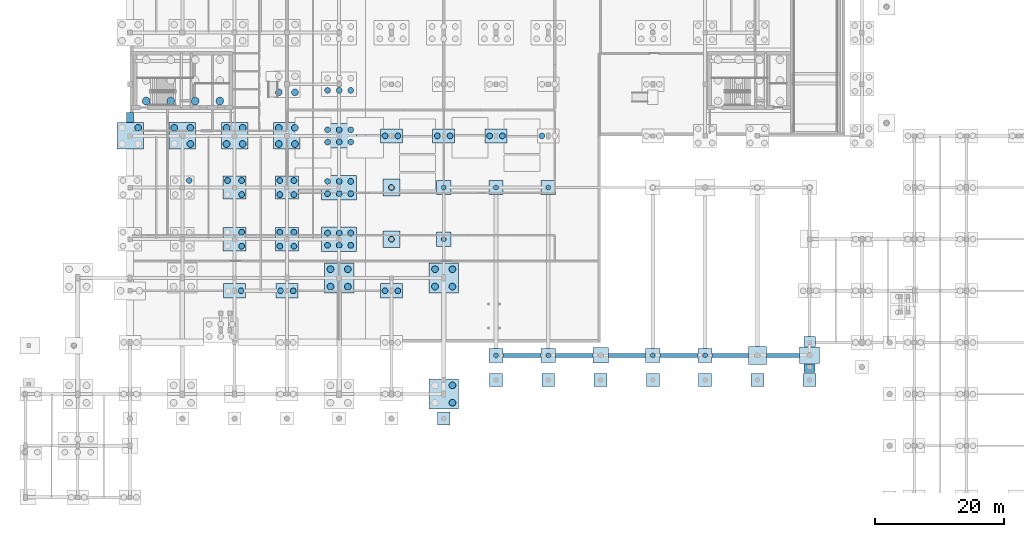
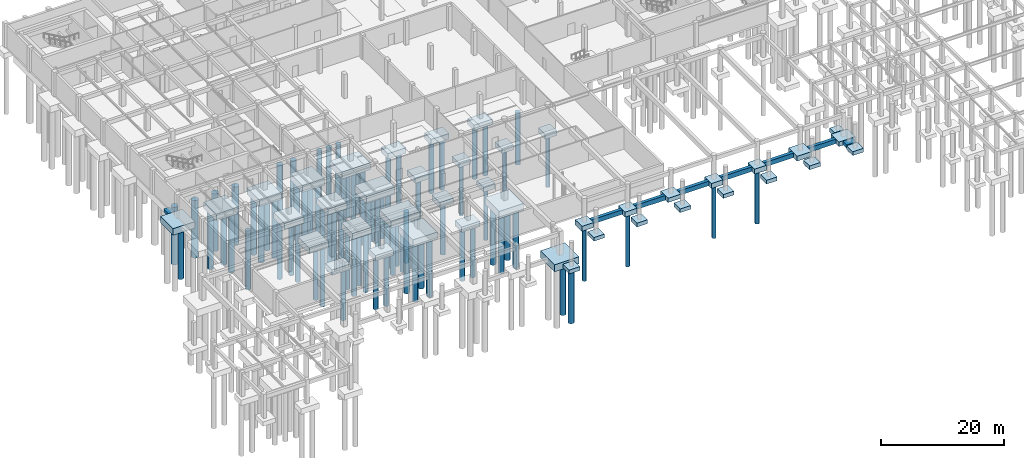
# One storey, part 2 of 25: 85 piles, 50 footings.
"""IFC4 building model written with IfcOpenShell, lengths in metres."""

import ifcopenshell
import ifcopenshell.guid

model = None  # the IFC model being written
_history = None  # IfcOwnerHistory: only IFC2X3 demands one
_inside = {}  # id of a spatial element -> (the spatial element, [elements in it])
_under = {}  # id of a project, library or spatial element -> (it, [spatial elements below it])
_declared = {}  # id of a project -> (the project, [libraries it declares])
_typed = {}  # id of a type object -> (the type object, [elements of that type])
_made_of = {}  # id of a material, layer set ... -> (it, [elements and type objects made of it])


def new_model(schema):
    """Start an empty IFC model of exactly this schema.

    Asked for "IFC4X3", IfcOpenShell would pick the latest addendum, in which some entities
    have other attributes; the version numbers below select the first issue.
    IFC2X3 requires an IfcOwnerHistory on every rooted entity: one is made here for all.
    """
    global model, _history
    if schema == "IFC4X3":
        model = ifcopenshell.file(schema_version=(4, 3, 0, 0))
    else:
        model = ifcopenshell.file(schema=schema)
    _inside.clear()
    _under.clear()
    _declared.clear()
    _typed.clear()
    _made_of.clear()
    _history = None
    if model.schema == "IFC2X3":
        org = make("IfcOrganization", Name="unknown")
        user = make(
            "IfcPersonAndOrganization",
            ThePerson=make("IfcPerson", FamilyName="unknown"),
            TheOrganization=org,
        )
        app = make(
            "IfcApplication",
            ApplicationDeveloper=org,
            Version="unknown",
            ApplicationFullName="unknown",
            ApplicationIdentifier="unknown",
        )
        _history = make(
            "IfcOwnerHistory",
            OwningUser=user,
            OwningApplication=app,
            ChangeAction="ADDED",
            CreationDate=0,
        )
    return model


def make(cls, **values):
    """One entity of the class cls with the attributes given. An attribute that is None is left unset."""
    return model.create_entity(
        cls, **{name: value for name, value in values.items() if value is not None}
    )


def rooted(cls, **values):
    """An entity with a GlobalId (a new one), such as an element, a storey or a relation."""
    return make(cls, GlobalId=ifcopenshell.guid.new(), OwnerHistory=_history, **values)


def si_unit(unit_type, name, prefix=None):
    """IfcSIUnit, for example si_unit("LENGTHUNIT", "METRE", prefix="MILLI")."""
    return make("IfcSIUnit", UnitType=unit_type, Prefix=prefix, Name=name)


def assignment(units):
    """IfcUnitAssignment: the units of a project."""
    return None if units is None else make("IfcUnitAssignment", Units=units)


def point(xyz):
    """IfcCartesianPoint."""
    return None if xyz is None else make("IfcCartesianPoint", Coordinates=xyz)


def direction(xyz):
    """IfcDirection."""
    return None if xyz is None else make("IfcDirection", DirectionRatios=xyz)


def frame(location, z_axis=None, x_axis=None):
    """IfcAxis2Placement3D, a coordinate frame: its origin and axes. An axis left out is left unset."""
    return make(
        "IfcAxis2Placement3D",
        Location=point(location),
        Axis=direction(z_axis),
        RefDirection=direction(x_axis),
    )


def frame_2d(location, x_axis=None):
    """IfcAxis2Placement2D, a coordinate frame in the plane: its origin and x axis."""
    return make(
        "IfcAxis2Placement2D", Location=point(location), RefDirection=direction(x_axis)
    )


def origin():
    """The frame at (0, 0, 0) with its axes left unset."""
    return frame((0.0, 0.0, 0.0))


def origin_2d():
    """The frame at (0, 0) in the plane with its x axis left unset."""
    return frame_2d((0.0, 0.0))


def place(relative_to, where):
    """IfcLocalPlacement: puts the frame where relative to a parent placement (None: the world)."""
    return make(
        "IfcLocalPlacement", PlacementRelTo=relative_to, RelativePlacement=where
    )


def context(
    kind, dimensions, precision=None, world=None, true_north=None, identifier=None
):
    """IfcGeometricRepresentationContext, for example the 3D "Model" context."""
    return make(
        "IfcGeometricRepresentationContext",
        ContextIdentifier=identifier,
        ContextType=kind,
        CoordinateSpaceDimension=dimensions,
        Precision=precision,
        WorldCoordinateSystem=world,
        TrueNorth=true_north,
    )


def subcontext(parent, identifier, kind, view, scale=None):
    """IfcGeometricRepresentationSubContext, for example "Body" below "Model"."""
    return make(
        "IfcGeometricRepresentationSubContext",
        ContextIdentifier=identifier,
        ContextType=kind,
        ParentContext=parent,
        TargetScale=scale,
        TargetView=view,
    )


def project(units=None, contexts=None):
    """IfcProject with its units and contexts."""
    return rooted(
        "IfcProject",
        Name="project",
        RepresentationContexts=contexts,
        UnitsInContext=assignment(units),
    )


def spatial(cls, under=None, at=None, **own):
    """A site, building, storey or space (cls), placed at a placement, below another one or the project."""
    s = rooted(cls, ObjectPlacement=at, **own)
    if under is not None:
        _under.setdefault(under.id(), (under, []))[1].append(s)
    return s


def polyline(points):
    """IfcPolyline through the points."""
    return make("IfcPolyline", Points=[point(p) for p in points])


def profile(cls, at=None, kind="AREA", **sizes):
    """A parametric profile (cls). Its sizes go by their IFC names, for example OverallWidth=200.0."""
    return make(cls, ProfileType=kind, Position=at, **sizes)


def rectangle(**sizes):
    """IfcRectangleProfileDef."""
    return profile("IfcRectangleProfileDef", **sizes)


def circle(**sizes):
    """IfcCircleProfileDef."""
    return profile("IfcCircleProfileDef", **sizes)


def outline(outer, holes=None, kind="AREA"):
    """IfcArbitraryClosedProfileDef: a profile drawn as a closed curve; with holes, ...WithVoids."""
    if holes is None:
        return make("IfcArbitraryClosedProfileDef", ProfileType=kind, OuterCurve=outer)
    return make(
        "IfcArbitraryProfileDefWithVoids",
        ProfileType=kind,
        OuterCurve=outer,
        InnerCurves=holes,
    )


def extrude(swept, where, along, depth):
    """IfcExtrudedAreaSolid: the profile swept, set in the frame where, extruded along a direction by depth."""
    return make(
        "IfcExtrudedAreaSolid",
        SweptArea=swept,
        Position=where,
        ExtrudedDirection=direction(along),
        Depth=depth,
    )


def shape(context_of_items, identifier, shape_type, items):
    """IfcShapeRepresentation: the items that make up one representation, for example the "Body"."""
    return make(
        "IfcShapeRepresentation",
        ContextOfItems=context_of_items,
        RepresentationIdentifier=identifier,
        RepresentationType=shape_type,
        Items=items,
    )


def material(Name=None, Category=None):
    """IfcMaterial."""
    return make("IfcMaterial", Name=Name, Category=Category)


def material_profile(
    of_material, cross_section, Name=None, Category=None, Priority=None
):
    """IfcMaterialProfile: a cross section and its material."""
    return make(
        "IfcMaterialProfile",
        Name=Name,
        Material=of_material,
        Profile=cross_section,
        Priority=Priority,
        Category=Category,
    )


def profile_set(profiles, Name=None, composite=None):
    """IfcMaterialProfileSet."""
    return make(
        "IfcMaterialProfileSet",
        Name=Name,
        MaterialProfiles=profiles,
        CompositeProfile=composite,
    )


def made_of(thing, what):
    """Note that an element or type object is made of a material, layer set ...; save() writes the relation."""
    if what is not None:
        _made_of.setdefault(what.id(), (what, []))[1].append(thing)
    return thing


def type_object(cls, material=None, **own):
    """A type object (cls), such as IfcWallType, which elements share."""
    return made_of(rooted(cls, **own), material)


def element(
    cls,
    number,
    at=None,
    inside=None,
    cuts=None,
    type_object=None,
    material=None,
    context=None,
    identifier="Body",
    shape_type=None,
    held_by="IfcProductDefinitionShape",
    body=None,
    shapes=None,
    **own,
):
    """One element of the class cls, such as IfcWall. Its Tag is "e" and its number.

    at: its placement. inside: the storey or other place that contains it. cuts: it is an
    opening in that element (IfcRelVoidsElement). A single representation is given by context,
    identifier, shape_type and body (its items); several are given by shapes. held_by: the class
    of the entity that holds the representations. save() writes the other relations.
    """
    e = rooted(cls, Tag="e%d" % number, ObjectPlacement=at, **own)
    if body is not None:
        shapes = [shape(context, identifier, shape_type, body)]
    if shapes is not None:
        e.Representation = make(held_by, Representations=shapes)
    if inside is not None:
        _inside.setdefault(inside.id(), (inside, []))[1].append(e)
    if cuts is not None:
        rooted(
            "IfcRelVoidsElement", RelatingBuildingElement=cuts, RelatedOpeningElement=e
        )
    if type_object is not None:
        _typed.setdefault(type_object.id(), (type_object, []))[1].append(e)
    return made_of(e, material)


def aggregate(whole, parts):
    """IfcRelAggregates: a whole, such as a stair, and the parts it consists of."""
    return rooted("IfcRelAggregates", RelatingObject=whole, RelatedObjects=parts)


def save(model, path):
    """Write the relations noted so far, then the file.

    IfcRelAggregates (storeys below a building ...), IfcRelContainedInSpatialStructure (elements
    in a storey), IfcRelDefinesByType, IfcRelAssociatesMaterial and IfcRelDeclares: one each for
    every whole, place, type object, material and project.
    """
    for whole, parts in _under.values():
        aggregate(whole, parts)
    for where, things in _inside.values():
        rooted(
            "IfcRelContainedInSpatialStructure",
            RelatedElements=things,
            RelatingStructure=where,
        )
    for kind, things in _typed.values():
        rooted("IfcRelDefinesByType", RelatedObjects=things, RelatingType=kind)
    for what, things in _made_of.values():
        rooted("IfcRelAssociatesMaterial", RelatedObjects=things, RelatingMaterial=what)
    for by, libraries in _declared.values():
        rooted("IfcRelDeclares", RelatingContext=by, RelatedDefinitions=libraries)
    model.write(path)


model = new_model("IFC4")

# Units and contexts
model_context = context("Model", 3, precision=1e-05, world=origin(), true_north=direction((0.0, 1.0)))
body_context = subcontext(model_context, "Body", "Model", "MODEL_VIEW")
ifc_project = project(units=[si_unit("LENGTHUNIT", "METRE"), si_unit("AREAUNIT", "SQUARE_METRE"), si_unit("VOLUMEUNIT", "CUBIC_METRE"), si_unit("PLANEANGLEUNIT", "RADIAN"), si_unit("MASSUNIT", "GRAM", prefix="KILO")], contexts=[model_context])

# Site, building, storey
site_placement = place(None, origin())
site = spatial("IfcSite", under=ifc_project, at=site_placement, CompositionType="ELEMENT")
building_placement = place(site_placement, origin())
building = spatial("IfcBuilding", under=site, at=building_placement, Name="Tarnveldt Square Police Headquarters", CompositionType="ELEMENT")
storey_placement = place(building_placement, frame((0.0, 0.0, -4.800048828125)))
storey = spatial("IfcBuildingStorey", under=building, at=storey_placement, Name="B1", CompositionType="ELEMENT", Elevation=-4.800048828125)

# Footings
ifc_material_1 = material(Name="Concrete 45 MPa", Category="concrete")
footing_type_1 = type_object("IfcFootingType", Name="CAP-PC1", PredefinedType="PILE_CAP", material=ifc_material_1)
for number, where, z_axis, x_axis, name in (
    (1, (64.800048828125, 40.0, -1.320068359375), (0.0, 0.0, 1.0), (1.0, 0.0, 0.0), "Caisson Pile Cap 72"),
    (2, (64.800048828125, 48.0, -1.320068359375), (0.0, 0.0, 1.0), (1.0, 0.0, 0.0), "Caisson Pile Cap 73"),
    (3, (72.89990234375, 22.0, -1.0), (0.0, 0.0, 1.0), (1.0, 0.0, 0.0), "Caisson Pile Cap 82"),
    (4, (72.89990234375, 48.0, -1.320068359375), (0.0, 0.0, 1.0), (1.0, 0.0, 0.0), "Caisson Pile Cap 83"),
    (5, (81.0, 22.0, -1.0), (0.0, 0.0, 1.0), (1.0, 0.0, 0.0), "Caisson Pile Cap 92"),
    (6, (81.0, 48.0, -1.320068359375), (0.0, 0.0, 1.0), (1.0, 0.0, 0.0), "Caisson Pile Cap 93"),
    (7, (97.199951171875, 22.0, -1.0), (0.0, 0.0, 1.0), (1.0, 0.0, 0.0), "Caisson Pile Cap 106"),
    (8, (105.300048828125, 22.0, -1.0), (0.0, 0.0, 1.0), (1.0, 0.0, 0.0), "Caisson Pile Cap 116"),
):
    element("IfcFooting", number, at=place(storey_placement, frame(where, z_axis=z_axis, x_axis=x_axis)), inside=storey, type_object=footing_type_1, Name=name, PredefinedType="PILE_CAP", context=body_context, shape_type="SweptSolid", body=[
        extrude(rectangle(XDim=2.199951171875, YDim=2.199951171875, at=origin_2d()), origin(), (0.0, 0.0, 1.0), 1.0),
    ])
footing_type_2 = type_object("IfcFootingType", Name="CAP-PC2", PredefinedType="PILE_CAP", material=ifc_material_1)
for number, where, z_axis, x_axis, name in (
    (9, (32.39990234375, 32.0, -1.419921875), (0.0, 0.0, 1.0), (1.0, 0.0, 0.0), "Caisson Pile Cap 27"),
    (10, (40.5, 32.0, -1.419921875), (0.0, 0.0, 1.0), (1.0, 0.0, 0.0), "Caisson Pile Cap 39"),
    (11, (56.699951171875, 32.0, -1.419921875), (0.0, 0.0, 1.0), (1.0, 0.0, 0.0), "Caisson Pile Cap 61"),
    (12, (56.699951171875, 56.0, -1.419921875), (0.0, 0.0, 1.0), (1.0, 0.0, 0.0), "Caisson Pile Cap 64"),
    (13, (64.800048828125, 56.0, -1.419921875), (0.0, 0.0, 1.0), (1.0, 0.0, 0.0), "Caisson Pile Cap 74"),
    (14, (72.89990234375, 56.0, -1.419921875), (0.0, 0.0, 1.0), (1.0, 0.0, 0.0), "Caisson Pile Cap 84"),
):
    element("IfcFooting", number, at=place(storey_placement, frame(where, z_axis=z_axis, x_axis=x_axis)), inside=storey, type_object=footing_type_2, Name=name, PredefinedType="PILE_CAP", context=body_context, shape_type="SweptSolid", body=[
        extrude(rectangle(XDim=3.39990234375, YDim=2.199951171875, at=origin_2d()), origin(), (0.0, 0.0, 1.0), 1.10009765625),
    ])
footing_type_3 = type_object("IfcFootingType", Name="CAP-PC3", PredefinedType="PILE_CAP", material=ifc_material_1)
for number, where, z_axis, x_axis, name in (
    (15, (32.39990234375, 40.0, -1.52001953125), (0.0, 0.0, 1.0), (1.0, 0.0, 0.0), "Caisson Pile Cap 28"),
    (16, (32.39990234375, 48.0, -1.52001953125), (0.0, 0.0, 1.0), (1.0, 0.0, 0.0), "Caisson Pile Cap 29"),
    (17, (40.5, 40.0, -1.52001953125), (0.0, 0.0, 1.0), (1.0, 0.0, 0.0), "Caisson Pile Cap 40"),
    (18, (40.5, 48.0, -1.52001953125), (0.0, 0.0, 1.0), (1.0, 0.0, 0.0), "Caisson Pile Cap 41"),
):
    element("IfcFooting", number, at=place(storey_placement, frame(where, z_axis=z_axis, x_axis=x_axis)), inside=storey, type_object=footing_type_3, Name=name, PredefinedType="PILE_CAP", context=body_context, shape_type="SweptSolid", body=[
        extrude(rectangle(XDim=3.60009765625, YDim=3.60009765625, at=origin_2d()), origin(), (0.0, 0.0, 1.0), 1.199951171875),
    ])
footing_type_4 = type_object("IfcFootingType", Name="CAP-PC4", PredefinedType="PILE_CAP", material=ifc_material_1)
for number, where, z_axis, x_axis, name in (
    (19, (16.199951171875, 56.0, -1.6201171875), (0.0, 0.0, 1.0), (1.0, 0.0, 0.0), "Caisson Pile Cap 12"),
    (20, (24.300048828125, 56.0, -1.6201171875), (0.0, 0.0, 1.0), (1.0, 0.0, 0.0), "Caisson Pile Cap 20"),
    (21, (32.39990234375, 56.0, -1.6201171875), (0.0, 0.0, 1.0), (1.0, 0.0, 0.0), "Caisson Pile Cap 30"),
    (22, (40.5, 56.0, -1.6201171875), (0.0, 0.0, 1.0), (1.0, 0.0, 0.0), "Caisson Pile Cap 42"),
):
    element("IfcFooting", number, at=place(storey_placement, frame(where, z_axis=z_axis, x_axis=x_axis)), inside=storey, type_object=footing_type_4, Name=name, PredefinedType="PILE_CAP", context=body_context, shape_type="SweptSolid", body=[
        extrude(rectangle(XDim=4.10009765625, YDim=4.10009765625, at=origin_2d()), origin(), (0.0, 0.0, 1.0), 1.300048828125),
    ])
footing_type_5 = type_object("IfcFootingType", Name="CAP-PC5", PredefinedType="PILE_CAP", material=ifc_material_1)
for number, where, z_axis, x_axis, name in (
    (23, (48.60009765625, 34.0, -1.719970703125), (0.0, 0.0, 1.0), (1.0, 0.0, 0.0), "Cantilever Truss Anchor Pile Cap 5"),
    (24, (64.800048828125, 34.0, -1.719970703125), (0.0, 0.0, 1.0), (1.0, 0.0, 0.0), "Cantilever Truss Anchor Pile Cap 7"),
    (25, (64.800048828125, 16.0, -1.39990234375), (0.0, 0.0, 1.0), (1.0, 0.0, 0.0), "Cantilever Truss Anchor Pile Cap 8"),
):
    element("IfcFooting", number, at=place(storey_placement, frame(where, z_axis=z_axis, x_axis=x_axis)), inside=storey, type_object=footing_type_5, Name=name, PredefinedType="PILE_CAP", context=body_context, shape_type="SweptSolid", body=[
        extrude(rectangle(XDim=4.60009765625, YDim=4.60009765625, at=origin_2d()), origin(), (0.0, 0.0, 1.0), 1.39990234375),
    ])
footing_type_6 = type_object("IfcFootingType", Name="CAP-PC6", PredefinedType="PILE_CAP", material=ifc_material_1)
for number, where, z_axis, x_axis, name in (
    (26, (48.60009765625, 40.0, -1.669921875), (0.0, 0.0, 1.0), (1.0, 0.0, 0.0), "Caisson Pile Cap 50"),
    (27, (48.60009765625, 48.0, -1.669921875), (0.0, 0.0, 1.0), (1.0, 0.0, 0.0), "Caisson Pile Cap 51"),
    (28, (48.60009765625, 56.0, -1.669921875), (0.0, 0.0, 1.0), (1.0, 0.0, 0.0), "Caisson Pile Cap 52"),
):
    element("IfcFooting", number, at=place(storey_placement, frame(where, z_axis=z_axis, x_axis=x_axis)), inside=storey, type_object=footing_type_6, Name=name, PredefinedType="PILE_CAP", context=body_context, shape_type="SweptSolid", body=[
        extrude(rectangle(XDim=5.39990234375, YDim=3.800048828125, at=origin_2d()), origin(), (0.0, 0.0, 1.0), 1.35009765625),
    ])
footing_type_7 = type_object("IfcFootingType", Name="CAP-PC9", PredefinedType="PILE_CAP", material=ifc_material_1)
for number, where, z_axis, x_axis, name in (
    (29, (56.699951171875, 40.0, -1.3701171875), (0.0, 0.0, 1.0), (1.0, 0.0, 0.0), "Caisson Pile Cap 62"),
    (30, (56.699951171875, 48.0, -1.3701171875), (0.0, 0.0, 1.0), (1.0, 0.0, 0.0), "Caisson Pile Cap 63"),
):
    element("IfcFooting", number, at=place(storey_placement, frame(where, z_axis=z_axis, x_axis=x_axis)), inside=storey, type_object=footing_type_7, Name=name, PredefinedType="PILE_CAP", context=body_context, shape_type="SweptSolid", body=[
        extrude(rectangle(XDim=2.60009765625, YDim=2.60009765625, at=origin_2d()), origin(), (0.0, 0.0, 1.0), 1.050048828125),
    ])
ifc_material_2 = material(Name="Concrete 40 MPa", Category="concrete")
footing_type_8 = type_object("IfcFootingType", Name="GB-2", PredefinedType="FOOTING_BEAM", material=ifc_material_2)
footing_1_placement = place(storey_placement, frame((0.0, 0.0, -0.89990234375)))
element("IfcFooting", 31, at=footing_1_placement, inside=storey, type_object=footing_type_8, Name="FTG-GB-V1S Segment 3", PredefinedType="FOOTING_BEAM", context=body_context, shape_type="SweptSolid", body=[
    extrude(outline(polyline([(74.0, 21.699951171875), (79.89990234375, 21.699951171875), (79.89990234375, 22.300048828125), (74.0, 22.300048828125), (74.0, 21.699951171875)])), origin(), (0.0, 0.0, 1.0), 0.89990234375),
])
footing_2_placement = place(storey_placement, frame((0.0, 0.0, -0.89990234375)))
element("IfcFooting", 32, at=footing_2_placement, inside=storey, type_object=footing_type_8, Name="FTG-GB-V1S Segment 4", PredefinedType="FOOTING_BEAM", context=body_context, shape_type="SweptSolid", body=[
    extrude(outline(polyline([(82.10009765625, 21.699951171875), (87.89990234375, 21.699951171875), (87.89990234375, 22.300048828125), (82.10009765625, 22.300048828125), (82.10009765625, 21.699951171875)])), origin(), (0.0, 0.0, 1.0), 0.89990234375),
])
footing_3_placement = place(storey_placement, frame((0.0, 0.0, -0.89990234375)))
element("IfcFooting", 33, at=footing_3_placement, inside=storey, type_object=footing_type_8, Name="FTG-GB-V1S Segment 5", PredefinedType="FOOTING_BEAM", context=body_context, shape_type="SweptSolid", body=[
    extrude(outline(polyline([(90.300048828125, 21.699951171875), (96.10009765625, 21.699951171875), (96.10009765625, 22.300048828125), (90.300048828125, 22.300048828125), (90.300048828125, 21.699951171875)])), origin(), (0.0, 0.0, 1.0), 0.89990234375),
])
footing_4_placement = place(storey_placement, frame((0.0, 0.0, -0.89990234375)))
element("IfcFooting", 34, at=footing_4_placement, inside=storey, type_object=footing_type_8, Name="FTG-GB-V1S Segment 6", PredefinedType="FOOTING_BEAM", context=body_context, shape_type="SweptSolid", body=[
    extrude(outline(polyline([(98.300048828125, 21.699951171875), (104.199951171875, 21.699951171875), (104.199951171875, 22.300048828125), (98.300048828125, 22.300048828125), (98.300048828125, 21.699951171875)])), origin(), (0.0, 0.0, 1.0), 0.89990234375),
])
footing_5_placement = place(storey_placement, frame((0.0, 0.0, -0.89990234375)))
element("IfcFooting", 35, at=footing_5_placement, inside=storey, type_object=footing_type_8, Name="FTG-GB-V1S Segment 7", PredefinedType="FOOTING_BEAM", context=body_context, shape_type="SweptSolid", body=[
    extrude(outline(polyline([(106.39990234375, 21.699951171875), (112.0, 21.699951171875), (112.0, 22.300048828125), (106.39990234375, 22.300048828125), (106.39990234375, 21.699951171875)])), origin(), (0.0, 0.0, 1.0), 0.89990234375),
])
footing_6_placement = place(storey_placement, frame((0.0, 0.0, -0.89990234375)))
element("IfcFooting", 36, at=footing_6_placement, inside=storey, type_object=footing_type_8, Name="FTG-GB-V1S Segment 8", PredefinedType="FOOTING_BEAM", context=body_context, shape_type="SweptSolid", body=[
    extrude(outline(polyline([(114.800048828125, 21.699951171875), (119.949951171875, 21.699951171875), (119.949951171875, 22.300048828125), (114.800048828125, 22.300048828125), (114.800048828125, 21.699951171875)])), origin(), (0.0, 0.0, 1.0), 0.89990234375),
])
footing_type_9 = type_object("IfcFootingType", Name="PAD-PF1", PredefinedType="PAD_FOOTING", material=ifc_material_2)
footing_7_placement = place(storey_placement, frame((89.10009765625, 22.0, -0.85009765625), z_axis=(0.0, 0.0, 1.0), x_axis=(1.0, 0.0, 0.0)))
element("IfcFooting", 37, at=footing_7_placement, inside=storey, type_object=footing_type_9, Name="Spread Pad Footing 7", PredefinedType="PAD_FOOTING", context=body_context, shape_type="SweptSolid", body=[
    extrude(rectangle(XDim=2.39990234375, YDim=2.39990234375, at=origin_2d()), origin(), (0.0, 0.0, 1.0), 0.85009765625),
])
footing_type_10 = type_object("IfcFootingType", Name="PAD-PF2", PredefinedType="PAD_FOOTING", material=ifc_material_2)
footing_8_placement = place(storey_placement, frame((113.39990234375, 22.0, -0.94970703125), z_axis=(0.0, 0.0, 1.0), x_axis=(1.0, 0.0, 0.0)))
element("IfcFooting", 38, at=footing_8_placement, inside=storey, type_object=footing_type_10, Name="Spread Pad Footing 11", PredefinedType="PAD_FOOTING", context=body_context, shape_type="SweptSolid", body=[
    extrude(rectangle(XDim=2.800048828125, YDim=2.800048828125, at=origin_2d()), origin(), (0.0, 0.0, 1.0), 0.949951171875),
])
footing_type_11 = type_object("IfcFootingType", Name="PAD-PF3", PredefinedType="PAD_FOOTING", material=ifc_material_2)
footing_9_placement = place(storey_placement, frame((121.5, 22.0, -0.89990234375), z_axis=(0.0, 0.0, 1.0), x_axis=(1.0, 0.0, 0.0)))
element("IfcFooting", 39, at=footing_9_placement, inside=storey, type_object=footing_type_11, Name="Spread Pad Footing 12", PredefinedType="PAD_FOOTING", context=body_context, shape_type="SweptSolid", body=[
    extrude(rectangle(XDim=3.10009765625, YDim=2.60009765625, at=origin_2d()), origin(), (0.0, 0.0, 1.0), 0.89990234375),
])
footing_type_12 = type_object("IfcFootingType", Name="PAD-PF4", PredefinedType="PAD_FOOTING", material=ifc_material_2)
footing_10_placement = place(storey_placement, frame((0.0, 0.0, -0.75)))
element("IfcFooting", 40, at=footing_10_placement, inside=storey, type_object=footing_type_12, Name="Spread Pad Footing 13", PredefinedType="PAD_FOOTING", context=body_context, shape_type="SweptSolid", body=[
    extrude(outline(polyline([(120.60009765625, 23.360107421875), (122.39990234375, 23.360107421875), (122.39990234375, 24.89990234375), (120.60009765625, 24.89990234375), (120.60009765625, 23.360107421875)])), origin(), (0.0, 0.0, 1.0), 0.75),
])
for number, where, z_axis, x_axis, name in (
    (41, (64.800048828125, 12.199951171875, -0.75), (0.0, 0.0, 1.0), (1.0, 0.0, 0.0), "Colonnade Pier Footing 7"),
    (42, (72.89990234375, 18.199951171875, -0.75), (0.0, 0.0, 1.0), (1.0, 0.0, 0.0), "Colonnade Pier Footing 9"),
    (43, (81.0, 18.199951171875, -0.75), (0.0, 0.0, 1.0), (1.0, 0.0, 0.0), "Colonnade Pier Footing 10"),
    (44, (89.10009765625, 18.199951171875, -0.75), (0.0, 0.0, 1.0), (1.0, 0.0, 0.0), "Colonnade Pier Footing 11"),
    (45, (97.199951171875, 18.199951171875, -0.75), (0.0, 0.0, 1.0), (1.0, 0.0, 0.0), "Colonnade Pier Footing 12"),
    (46, (105.300048828125, 18.199951171875, -0.75), (0.0, 0.0, 1.0), (1.0, 0.0, 0.0), "Colonnade Pier Footing 13"),
    (47, (113.39990234375, 18.199951171875, -0.75), (0.0, 0.0, 1.0), (1.0, 0.0, 0.0), "Colonnade Pier Footing 14"),
    (48, (121.5, 18.199951171875, -0.75), (0.0, 0.0, 1.0), (1.0, 0.0, 0.0), "Colonnade Pier Footing 15"),
):
    element("IfcFooting", number, at=place(storey_placement, frame(where, z_axis=z_axis, x_axis=x_axis)), inside=storey, type_object=footing_type_12, Name=name, PredefinedType="PAD_FOOTING", context=body_context, shape_type="SweptSolid", body=[
        extrude(rectangle(XDim=2.0, YDim=2.0, at=origin_2d()), origin(), (0.0, 0.0, 1.0), 0.75),
    ])
footing_11_placement = place(storey_placement, frame((0.0, 0.0, -0.75)))
element("IfcFooting", 49, at=footing_11_placement, inside=storey, type_object=footing_type_12, Name="Colonnade Pier Footing 16", PredefinedType="PAD_FOOTING", context=body_context, shape_type="SweptSolid", body=[
    extrude(outline(polyline([(120.64990234375, 19.35009765625), (122.35009765625, 19.35009765625), (122.35009765625, 20.639892578125), (120.64990234375, 20.639892578125), (120.64990234375, 19.35009765625)])), origin(), (0.0, 0.0, 1.0), 0.75),
])

# Piles
ifc_material_profile_1 = material_profile(ifc_material_1, circle(Radius=0.375, at=origin_2d()), Name="CAISSON-D750")
ifc_profile_set_1 = profile_set([ifc_material_profile_1], Name="Concrete 45 MPa")
pile_type_1 = type_object("IfcPileType", Name="PILE-CA1", PredefinedType="BORED", material=ifc_profile_set_1)
for number, where, z_axis, x_axis, name in (
    (50, (64.800048828125, 40.0, -1.219970703125), (0.0, 0.0, -1.0), (1.0, 0.0, 0.0), "Bored Caisson C72.1"),
    (51, (64.800048828125, 48.0, -1.219970703125), (0.0, 0.0, -1.0), (1.0, 0.0, 0.0), "Bored Caisson C73.1"),
):
    element("IfcPile", number, at=place(storey_placement, frame(where, z_axis=z_axis, x_axis=x_axis)), inside=storey, type_object=pile_type_1, Name=name, PredefinedType="BORED", context=body_context, shape_type="SweptSolid", body=[
        extrude(circle(Radius=0.375, at=origin_2d()), origin(), (0.0, 0.0, 1.0), 10.47998046875),
    ])
pile_1_placement = place(storey_placement, frame((72.89990234375, 22.0, -0.89990234375), z_axis=(0.0, 0.0, -1.0), x_axis=(1.0, 0.0, 0.0)))
element("IfcPile", 52, at=pile_1_placement, inside=storey, type_object=pile_type_1, Name="Bored Caisson C82.1", PredefinedType="BORED", context=body_context, shape_type="SweptSolid", body=[
    extrude(circle(Radius=0.375, at=origin_2d()), origin(), (0.0, 0.0, 1.0), 10.800048828125),
])
pile_2_placement = place(storey_placement, frame((72.89990234375, 48.0, -1.219970703125), z_axis=(0.0, 0.0, -1.0), x_axis=(1.0, 0.0, 0.0)))
element("IfcPile", 53, at=pile_2_placement, inside=storey, type_object=pile_type_1, Name="Bored Caisson C83.1", PredefinedType="BORED", context=body_context, shape_type="SweptSolid", body=[
    extrude(circle(Radius=0.375, at=origin_2d()), origin(), (0.0, 0.0, 1.0), 10.47998046875),
])
pile_3_placement = place(storey_placement, frame((81.0, 22.0, -0.89990234375), z_axis=(0.0, 0.0, -1.0), x_axis=(1.0, 0.0, 0.0)))
element("IfcPile", 54, at=pile_3_placement, inside=storey, type_object=pile_type_1, Name="Bored Caisson C92.1", PredefinedType="BORED", context=body_context, shape_type="SweptSolid", body=[
    extrude(circle(Radius=0.375, at=origin_2d()), origin(), (0.0, 0.0, 1.0), 10.800048828125),
])
pile_4_placement = place(storey_placement, frame((81.0, 48.0, -1.219970703125), z_axis=(0.0, 0.0, -1.0), x_axis=(1.0, 0.0, 0.0)))
element("IfcPile", 55, at=pile_4_placement, inside=storey, type_object=pile_type_1, Name="Bored Caisson C93.1", PredefinedType="BORED", context=body_context, shape_type="SweptSolid", body=[
    extrude(circle(Radius=0.375, at=origin_2d()), origin(), (0.0, 0.0, 1.0), 10.47998046875),
])
for number, where, z_axis, x_axis, name in (
    (56, (97.199951171875, 22.0, -0.89990234375), (0.0, 0.0, -1.0), (1.0, 0.0, 0.0), "Bored Caisson C106.1"),
    (57, (105.300048828125, 22.0, -0.89990234375), (0.0, 0.0, -1.0), (1.0, 0.0, 0.0), "Bored Caisson C116.1"),
):
    element("IfcPile", number, at=place(storey_placement, frame(where, z_axis=z_axis, x_axis=x_axis)), inside=storey, type_object=pile_type_1, Name=name, PredefinedType="BORED", context=body_context, shape_type="SweptSolid", body=[
        extrude(circle(Radius=0.375, at=origin_2d()), origin(), (0.0, 0.0, 1.0), 10.800048828125),
    ])
ifc_material_profile_2 = material_profile(ifc_material_1, circle(Radius=0.449951171875, at=origin_2d()), Name="CAISSON-D900")
ifc_profile_set_2 = profile_set([ifc_material_profile_2], Name="Concrete 45 MPa")
pile_type_2 = type_object("IfcPileType", Name="PILE-CA2", PredefinedType="BORED", material=ifc_profile_set_2)
pile_5_placement = place(storey_placement, frame((25.389892578125, 49.090087890625, -1.419921875), z_axis=(0.0, 0.0, -1.0), x_axis=(1.0, 0.0, 0.0)))
element("IfcPile", 58, at=pile_5_placement, inside=storey, type_object=pile_type_2, Name="Bored Caisson C19.4", PredefinedType="BORED", context=body_context, shape_type="SweptSolid", body=[
    extrude(circle(Radius=0.449951171875, at=origin_2d()), origin(), (0.0, 0.0, 1.0), 11.780029296875),
])
pile_6_placement = place(storey_placement, frame((33.389892578125, 32.0, -1.320068359375), z_axis=(0.0, 0.0, -1.0), x_axis=(1.0, 0.0, 0.0)))
element("IfcPile", 59, at=pile_6_placement, inside=storey, type_object=pile_type_2, Name="Bored Caisson C27.2", PredefinedType="BORED", context=body_context, shape_type="SweptSolid", body=[
    extrude(circle(Radius=0.449951171875, at=origin_2d()), origin(), (0.0, 0.0, 1.0), 10.3798828125),
])
for number, where, z_axis, x_axis, name in (
    (60, (33.489990234375, 38.909912109375, -1.419921875), (0.0, 0.0, -1.0), (1.0, 0.0, 0.0), "Bored Caisson C28.3"),
    (61, (33.489990234375, 41.090087890625, -1.419921875), (0.0, 0.0, -1.0), (1.0, 0.0, 0.0), "Bored Caisson C28.4"),
    (62, (31.31005859375, 49.090087890625, -1.419921875), (0.0, 0.0, -1.0), (1.0, 0.0, 0.0), "Bored Caisson C29.2"),
    (63, (33.489990234375, 46.909912109375, -1.419921875), (0.0, 0.0, -1.0), (1.0, 0.0, 0.0), "Bored Caisson C29.3"),
    (64, (33.489990234375, 49.090087890625, -1.419921875), (0.0, 0.0, -1.0), (1.0, 0.0, 0.0), "Bored Caisson C29.4"),
):
    element("IfcPile", number, at=place(storey_placement, frame(where, z_axis=z_axis, x_axis=x_axis)), inside=storey, type_object=pile_type_2, Name=name, PredefinedType="BORED", context=body_context, shape_type="SweptSolid", body=[
        extrude(circle(Radius=0.449951171875, at=origin_2d()), origin(), (0.0, 0.0, 1.0), 11.780029296875),
    ])
for number, where, z_axis, x_axis, name in (
    (65, (39.510009765625, 32.0, -1.320068359375), (0.0, 0.0, -1.0), (1.0, 0.0, 0.0), "Bored Caisson C39.1"),
    (66, (41.489990234375, 32.0, -1.320068359375), (0.0, 0.0, -1.0), (1.0, 0.0, 0.0), "Bored Caisson C39.2"),
):
    element("IfcPile", number, at=place(storey_placement, frame(where, z_axis=z_axis, x_axis=x_axis)), inside=storey, type_object=pile_type_2, Name=name, PredefinedType="BORED", context=body_context, shape_type="SweptSolid", body=[
        extrude(circle(Radius=0.449951171875, at=origin_2d()), origin(), (0.0, 0.0, 1.0), 10.3798828125),
    ])
for number, where, z_axis, x_axis, name in (
    (67, (39.409912109375, 38.909912109375, -1.419921875), (0.0, 0.0, -1.0), (1.0, 0.0, 0.0), "Bored Caisson C40.1"),
    (68, (39.409912109375, 41.090087890625, -1.419921875), (0.0, 0.0, -1.0), (1.0, 0.0, 0.0), "Bored Caisson C40.2"),
    (69, (41.590087890625, 38.909912109375, -1.419921875), (0.0, 0.0, -1.0), (1.0, 0.0, 0.0), "Bored Caisson C40.3"),
    (70, (41.590087890625, 41.090087890625, -1.419921875), (0.0, 0.0, -1.0), (1.0, 0.0, 0.0), "Bored Caisson C40.4"),
    (71, (39.409912109375, 46.909912109375, -1.419921875), (0.0, 0.0, -1.0), (1.0, 0.0, 0.0), "Bored Caisson C41.1"),
    (72, (39.409912109375, 49.090087890625, -1.419921875), (0.0, 0.0, -1.0), (1.0, 0.0, 0.0), "Bored Caisson C41.2"),
    (73, (41.590087890625, 46.909912109375, -1.419921875), (0.0, 0.0, -1.0), (1.0, 0.0, 0.0), "Bored Caisson C41.3"),
    (74, (41.590087890625, 49.090087890625, -1.419921875), (0.0, 0.0, -1.0), (1.0, 0.0, 0.0), "Bored Caisson C41.4"),
):
    element("IfcPile", number, at=place(storey_placement, frame(where, z_axis=z_axis, x_axis=x_axis)), inside=storey, type_object=pile_type_2, Name=name, PredefinedType="BORED", context=body_context, shape_type="SweptSolid", body=[
        extrude(circle(Radius=0.449951171875, at=origin_2d()), origin(), (0.0, 0.0, 1.0), 11.780029296875),
    ])
for number, where, z_axis, x_axis, name in (
    (75, (46.800048828125, 39.050048828125, -1.570068359375), (0.0, 0.0, -1.0), (1.0, 0.0, 0.0), "Bored Caisson C50.1"),
    (76, (48.60009765625, 39.050048828125, -1.570068359375), (0.0, 0.0, -1.0), (1.0, 0.0, 0.0), "Bored Caisson C50.2"),
    (77, (50.39990234375, 39.050048828125, -1.570068359375), (0.0, 0.0, -1.0), (1.0, 0.0, 0.0), "Bored Caisson C50.3"),
    (78, (46.800048828125, 40.949951171875, -1.570068359375), (0.0, 0.0, -1.0), (1.0, 0.0, 0.0), "Bored Caisson C50.4"),
    (79, (48.60009765625, 40.949951171875, -1.570068359375), (0.0, 0.0, -1.0), (1.0, 0.0, 0.0), "Bored Caisson C50.5"),
    (80, (50.39990234375, 40.949951171875, -1.570068359375), (0.0, 0.0, -1.0), (1.0, 0.0, 0.0), "Bored Caisson C50.6"),
    (81, (46.800048828125, 47.050048828125, -1.570068359375), (0.0, 0.0, -1.0), (1.0, 0.0, 0.0), "Bored Caisson C51.1"),
    (82, (48.60009765625, 47.050048828125, -1.570068359375), (0.0, 0.0, -1.0), (1.0, 0.0, 0.0), "Bored Caisson C51.2"),
    (83, (50.39990234375, 47.050048828125, -1.570068359375), (0.0, 0.0, -1.0), (1.0, 0.0, 0.0), "Bored Caisson C51.3"),
    (84, (46.800048828125, 48.949951171875, -1.570068359375), (0.0, 0.0, -1.0), (1.0, 0.0, 0.0), "Bored Caisson C51.4"),
    (85, (48.60009765625, 48.949951171875, -1.570068359375), (0.0, 0.0, -1.0), (1.0, 0.0, 0.0), "Bored Caisson C51.5"),
    (86, (50.39990234375, 48.949951171875, -1.570068359375), (0.0, 0.0, -1.0), (1.0, 0.0, 0.0), "Bored Caisson C51.6"),
    (87, (46.800048828125, 55.050048828125, -1.570068359375), (0.0, 0.0, -1.0), (1.0, 0.0, 0.0), "Bored Caisson C52.1"),
    (88, (48.60009765625, 55.050048828125, -1.570068359375), (0.0, 0.0, -1.0), (1.0, 0.0, 0.0), "Bored Caisson C52.2"),
    (89, (50.39990234375, 55.050048828125, -1.570068359375), (0.0, 0.0, -1.0), (1.0, 0.0, 0.0), "Bored Caisson C52.3"),
    (90, (46.800048828125, 56.949951171875, -1.570068359375), (0.0, 0.0, -1.0), (1.0, 0.0, 0.0), "Bored Caisson C52.4"),
    (91, (48.60009765625, 56.949951171875, -1.570068359375), (0.0, 0.0, -1.0), (1.0, 0.0, 0.0), "Bored Caisson C52.5"),
    (92, (50.39990234375, 56.949951171875, -1.570068359375), (0.0, 0.0, -1.0), (1.0, 0.0, 0.0), "Bored Caisson C52.6"),
    (93, (46.800048828125, 63.050048828125, -1.570068359375), (0.0, 0.0, -1.0), (1.0, 0.0, 0.0), "Bored Caisson C53.1"),
    (94, (48.60009765625, 63.050048828125, -1.570068359375), (0.0, 0.0, -1.0), (1.0, 0.0, 0.0), "Bored Caisson C53.2"),
    (95, (50.39990234375, 63.050048828125, -1.570068359375), (0.0, 0.0, -1.0), (1.0, 0.0, 0.0), "Bored Caisson C53.3"),
):
    element("IfcPile", number, at=place(storey_placement, frame(where, z_axis=z_axis, x_axis=x_axis)), inside=storey, type_object=pile_type_2, Name=name, PredefinedType="BORED", context=body_context, shape_type="SweptSolid", body=[
        extrude(circle(Radius=0.449951171875, at=origin_2d()), origin(), (0.0, 0.0, 1.0), 10.1298828125),
    ])
for number, where, z_axis, x_axis, name in (
    (96, (55.7099609375, 32.0, -1.320068359375), (0.0, 0.0, -1.0), (1.0, 0.0, 0.0), "Bored Caisson C61.1"),
    (97, (57.68994140625, 32.0, -1.320068359375), (0.0, 0.0, -1.0), (1.0, 0.0, 0.0), "Bored Caisson C61.2"),
):
    element("IfcPile", number, at=place(storey_placement, frame(where, z_axis=z_axis, x_axis=x_axis)), inside=storey, type_object=pile_type_2, Name=name, PredefinedType="BORED", context=body_context, shape_type="SweptSolid", body=[
        extrude(circle(Radius=0.449951171875, at=origin_2d()), origin(), (0.0, 0.0, 1.0), 10.3798828125),
    ])
for number, where, z_axis, x_axis, name in (
    (98, (56.699951171875, 40.0, -1.27001953125), (0.0, 0.0, -1.0), (1.0, 0.0, 0.0), "Bored Caisson C62.1"),
    (99, (56.699951171875, 48.0, -1.27001953125), (0.0, 0.0, -1.0), (1.0, 0.0, 0.0), "Bored Caisson C63.1"),
):
    element("IfcPile", number, at=place(storey_placement, frame(where, z_axis=z_axis, x_axis=x_axis)), inside=storey, type_object=pile_type_2, Name=name, PredefinedType="BORED", context=body_context, shape_type="SweptSolid", body=[
        extrude(circle(Radius=0.449951171875, at=origin_2d()), origin(), (0.0, 0.0, 1.0), 10.429931640625),
    ])
for number, where, z_axis, x_axis, name in (
    (100, (55.7099609375, 56.0, -1.320068359375), (0.0, 0.0, -1.0), (1.0, 0.0, 0.0), "Bored Caisson C64.1"),
    (101, (57.68994140625, 56.0, -1.320068359375), (0.0, 0.0, -1.0), (1.0, 0.0, 0.0), "Bored Caisson C64.2"),
    (102, (63.81005859375, 56.0, -1.320068359375), (0.0, 0.0, -1.0), (1.0, 0.0, 0.0), "Bored Caisson C74.1"),
    (103, (65.7900390625, 56.0, -1.320068359375), (0.0, 0.0, -1.0), (1.0, 0.0, 0.0), "Bored Caisson C74.2"),
    (104, (71.909912109375, 56.0, -1.320068359375), (0.0, 0.0, -1.0), (1.0, 0.0, 0.0), "Bored Caisson C84.1"),
    (105, (73.889892578125, 56.0, -1.320068359375), (0.0, 0.0, -1.0), (1.0, 0.0, 0.0), "Bored Caisson C84.2"),
    (106, (80.010009765625, 56.0, -1.320068359375), (0.0, 0.0, -1.0), (1.0, 0.0, 0.0), "Bored Caisson C94.1"),
):
    element("IfcPile", number, at=place(storey_placement, frame(where, z_axis=z_axis, x_axis=x_axis)), inside=storey, type_object=pile_type_2, Name=name, PredefinedType="BORED", context=body_context, shape_type="SweptSolid", body=[
        extrude(circle(Radius=0.449951171875, at=origin_2d()), origin(), (0.0, 0.0, 1.0), 10.3798828125),
    ])
ifc_material_profile_3 = material_profile(ifc_material_1, circle(Radius=0.52490234375, at=origin_2d()), Name="CAISSON-D1050")
ifc_profile_set_3 = profile_set([ifc_material_profile_3], Name="Concrete 45 MPa")
pile_type_3 = type_object("IfcPileType", Name="PILE-CA3", PredefinedType="BORED", material=ifc_profile_set_3)
for number, where, z_axis, x_axis, name in (
    (107, (47.25, 32.64990234375, -1.619873046875), (0.0, 0.0, -1.0), (1.0, 0.0, 0.0), "Truss Anchor Caisson 5.1"),
    (108, (47.25, 35.35009765625, -1.619873046875), (0.0, 0.0, -1.0), (1.0, 0.0, 0.0), "Truss Anchor Caisson 5.2"),
    (109, (49.949951171875, 32.64990234375, -1.619873046875), (0.0, 0.0, -1.0), (1.0, 0.0, 0.0), "Truss Anchor Caisson 5.3"),
    (110, (49.949951171875, 35.35009765625, -1.619873046875), (0.0, 0.0, -1.0), (1.0, 0.0, 0.0), "Truss Anchor Caisson 5.4"),
    (111, (63.449951171875, 32.64990234375, -1.619873046875), (0.0, 0.0, -1.0), (1.0, 0.0, 0.0), "Truss Anchor Caisson 7.1"),
    (112, (63.449951171875, 35.35009765625, -1.619873046875), (0.0, 0.0, -1.0), (1.0, 0.0, 0.0), "Truss Anchor Caisson 7.2"),
    (113, (66.14990234375, 32.64990234375, -1.619873046875), (0.0, 0.0, -1.0), (1.0, 0.0, 0.0), "Truss Anchor Caisson 7.3"),
    (114, (66.14990234375, 35.35009765625, -1.619873046875), (0.0, 0.0, -1.0), (1.0, 0.0, 0.0), "Truss Anchor Caisson 7.4"),
):
    element("IfcPile", number, at=place(storey_placement, frame(where, z_axis=z_axis, x_axis=x_axis)), inside=storey, type_object=pile_type_3, Name=name, PredefinedType="BORED", context=body_context, shape_type="SweptSolid", body=[
        extrude(circle(Radius=0.52490234375, at=origin_2d()), origin(), (0.0, 0.0, 1.0), 11.580078125),
    ])
for number, where, z_axis, x_axis, name in (
    (115, (66.14990234375, 14.64990234375, -1.300048828125), (0.0, 0.0, -1.0), (1.0, 0.0, 0.0), "Truss Anchor Caisson 8.3"),
    (116, (66.14990234375, 17.35009765625, -1.300048828125), (0.0, 0.0, -1.0), (1.0, 0.0, 0.0), "Truss Anchor Caisson 8.4"),
):
    element("IfcPile", number, at=place(storey_placement, frame(where, z_axis=z_axis, x_axis=x_axis)), inside=storey, type_object=pile_type_3, Name=name, PredefinedType="BORED", context=body_context, shape_type="SweptSolid", body=[
        extrude(circle(Radius=0.52490234375, at=origin_2d()), origin(), (0.0, 0.0, 1.0), 11.89990234375),
    ])
for number, where, z_axis, x_axis, name in (
    (117, (17.449951171875, 57.25, -1.52001953125), (0.0, 0.0, -1.0), (1.0, 0.0, 0.0), "Bored Caisson C12.4"),
    (118, (23.050048828125, 57.25, -1.52001953125), (0.0, 0.0, -1.0), (1.0, 0.0, 0.0), "Bored Caisson C20.2"),
    (119, (25.550048828125, 54.75, -1.52001953125), (0.0, 0.0, -1.0), (1.0, 0.0, 0.0), "Bored Caisson C20.3"),
    (120, (25.550048828125, 57.25, -1.52001953125), (0.0, 0.0, -1.0), (1.0, 0.0, 0.0), "Bored Caisson C20.4"),
    (121, (31.14990234375, 54.75, -1.52001953125), (0.0, 0.0, -1.0), (1.0, 0.0, 0.0), "Bored Caisson C30.1"),
    (122, (31.14990234375, 57.25, -1.52001953125), (0.0, 0.0, -1.0), (1.0, 0.0, 0.0), "Bored Caisson C30.2"),
    (123, (33.64990234375, 54.75, -1.52001953125), (0.0, 0.0, -1.0), (1.0, 0.0, 0.0), "Bored Caisson C30.3"),
    (124, (33.64990234375, 57.25, -1.52001953125), (0.0, 0.0, -1.0), (1.0, 0.0, 0.0), "Bored Caisson C30.4"),
    (125, (39.25, 54.75, -1.52001953125), (0.0, 0.0, -1.0), (1.0, 0.0, 0.0), "Bored Caisson C42.1"),
    (126, (39.25, 57.25, -1.52001953125), (0.0, 0.0, -1.0), (1.0, 0.0, 0.0), "Bored Caisson C42.2"),
    (127, (41.75, 54.75, -1.52001953125), (0.0, 0.0, -1.0), (1.0, 0.0, 0.0), "Bored Caisson C42.3"),
    (128, (41.75, 57.25, -1.52001953125), (0.0, 0.0, -1.0), (1.0, 0.0, 0.0), "Bored Caisson C42.4"),
    (129, (39.25, 62.75, -1.52001953125), (0.0, 0.0, -1.0), (1.0, 0.0, 0.0), "Bored Caisson C43.1"),
    (130, (41.75, 62.75, -1.52001953125), (0.0, 0.0, -1.0), (1.0, 0.0, 0.0), "Bored Caisson C43.3"),
):
    element("IfcPile", number, at=place(storey_placement, frame(where, z_axis=z_axis, x_axis=x_axis)), inside=storey, type_object=pile_type_3, Name=name, PredefinedType="BORED", context=body_context, shape_type="SweptSolid", body=[
        extrude(circle(Radius=0.52490234375, at=origin_2d()), origin(), (0.0, 0.0, 1.0), 11.679931640625),
    ])
ifc_material_profile_4 = material_profile(ifc_material_1, circle(Radius=0.60009765625, at=origin_2d()), Name="CAISSON-D1200")
ifc_profile_set_4 = profile_set([ifc_material_profile_4], Name="Concrete 45 MPa")
pile_type_4 = type_object("IfcPileType", Name="PILE-CA4", PredefinedType="BORED", material=ifc_profile_set_4)
for number, where, z_axis, x_axis, name in (
    (131, (18.699951171875, 61.39990234375, -1.77001953125), (0.0, 0.0, -1.0), (1.0, 0.0, 0.0), "K1 Rock-Socketed Caisson 1"),
    (132, (22.5, 61.39990234375, -1.77001953125), (0.0, 0.0, -1.0), (1.0, 0.0, 0.0), "K1 Rock-Socketed Caisson 4"),
    (133, (26.300048828125, 61.39990234375, -1.77001953125), (0.0, 0.0, -1.0), (1.0, 0.0, 0.0), "K1 Rock-Socketed Caisson 7"),
    (134, (30.10009765625, 61.39990234375, -1.77001953125), (0.0, 0.0, -1.0), (1.0, 0.0, 0.0), "K1 Rock-Socketed Caisson 10"),
):
    element("IfcPile", number, at=place(storey_placement, frame(where, z_axis=z_axis, x_axis=x_axis)), inside=storey, type_object=pile_type_4, Name=name, PredefinedType="BORED", context=body_context, shape_type="SweptSolid", body=[
        extrude(circle(Radius=0.60009765625, at=origin_2d()), origin(), (0.0, 0.0, 1.0), 11.429931640625),
    ])

# Footing
footing_type_13 = type_object("IfcFootingType", Name="SF-1", PredefinedType="STRIP_FOOTING", material=ifc_material_2)
footing_12_placement = place(storey_placement, frame((0.0, 0.0, -0.969970703125)))
element("IfcFooting", 135, at=footing_12_placement, inside=storey, type_object=footing_type_13, Name="FTG-SF-W Segment 9", PredefinedType="STRIP_FOOTING", context=body_context, shape_type="SweptSolid", body=[
    extrude(outline(polyline([(15.64990234375, 58.050048828125), (16.75, 58.050048828125), (16.75, 59.60009765625), (15.64990234375, 59.60009765625), (15.64990234375, 58.050048828125)])), origin(), (0.0, 0.0, 1.0), 0.64990234375),
])

save(model, "model.ifc")
